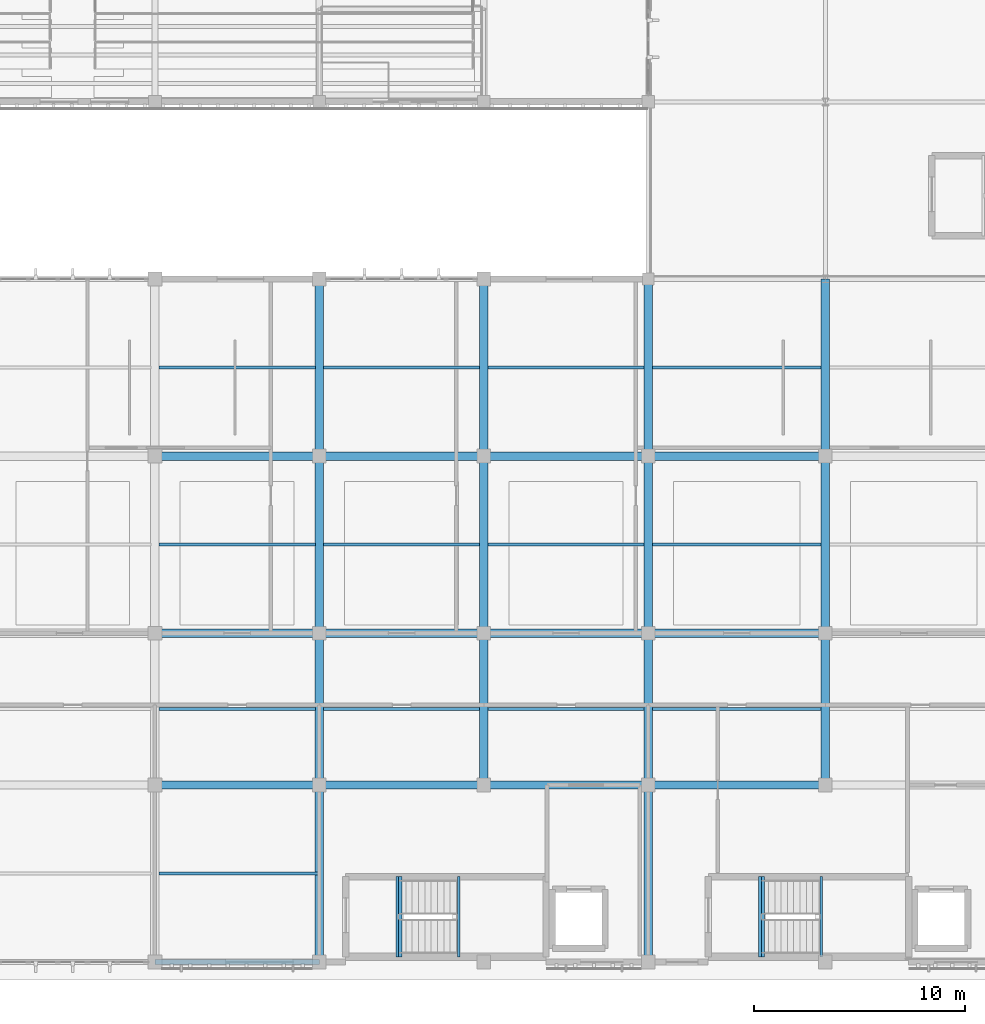
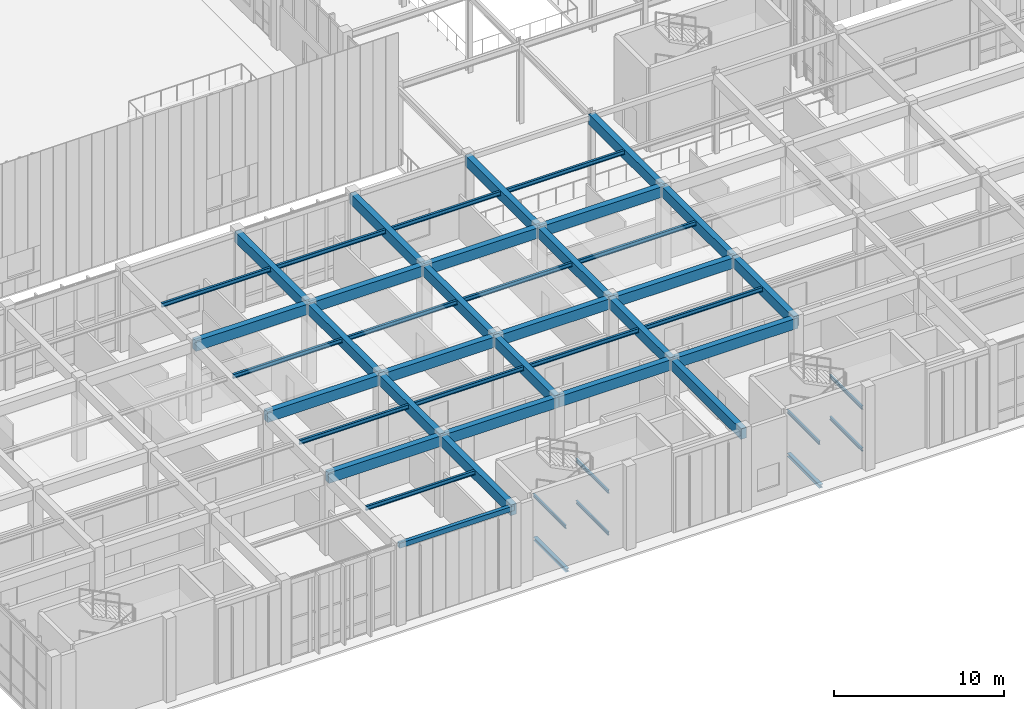
# One storey, part 13 of 105: 48 beams.
"""IFC4 building model written with IfcOpenShell, lengths in metres."""

import ifcopenshell
import ifcopenshell.guid

model = None  # the IFC model being written
_history = None  # IfcOwnerHistory: only IFC2X3 demands one
_inside = {}  # id of a spatial element -> (the spatial element, [elements in it])
_under = {}  # id of a project, library or spatial element -> (it, [spatial elements below it])
_declared = {}  # id of a project -> (the project, [libraries it declares])
_typed = {}  # id of a type object -> (the type object, [elements of that type])
_made_of = {}  # id of a material, layer set ... -> (it, [elements and type objects made of it])


def new_model(schema):
    """Start an empty IFC model of exactly this schema.

    Asked for "IFC4X3", IfcOpenShell would pick the latest addendum, in which some entities
    have other attributes; the version numbers below select the first issue.
    IFC2X3 requires an IfcOwnerHistory on every rooted entity: one is made here for all.
    """
    global model, _history
    if schema == "IFC4X3":
        model = ifcopenshell.file(schema_version=(4, 3, 0, 0))
    else:
        model = ifcopenshell.file(schema=schema)
    _inside.clear()
    _under.clear()
    _declared.clear()
    _typed.clear()
    _made_of.clear()
    _history = None
    if model.schema == "IFC2X3":
        org = make("IfcOrganization", Name="unknown")
        user = make(
            "IfcPersonAndOrganization",
            ThePerson=make("IfcPerson", FamilyName="unknown"),
            TheOrganization=org,
        )
        app = make(
            "IfcApplication",
            ApplicationDeveloper=org,
            Version="unknown",
            ApplicationFullName="unknown",
            ApplicationIdentifier="unknown",
        )
        _history = make(
            "IfcOwnerHistory",
            OwningUser=user,
            OwningApplication=app,
            ChangeAction="ADDED",
            CreationDate=0,
        )
    return model


def make(cls, **values):
    """One entity of the class cls with the attributes given. An attribute that is None is left unset."""
    return model.create_entity(
        cls, **{name: value for name, value in values.items() if value is not None}
    )


def rooted(cls, **values):
    """An entity with a GlobalId (a new one), such as an element, a storey or a relation."""
    return make(cls, GlobalId=ifcopenshell.guid.new(), OwnerHistory=_history, **values)


def si_unit(unit_type, name, prefix=None):
    """IfcSIUnit, for example si_unit("LENGTHUNIT", "METRE", prefix="MILLI")."""
    return make("IfcSIUnit", UnitType=unit_type, Prefix=prefix, Name=name)


def assignment(units):
    """IfcUnitAssignment: the units of a project."""
    return None if units is None else make("IfcUnitAssignment", Units=units)


def point(xyz):
    """IfcCartesianPoint."""
    return None if xyz is None else make("IfcCartesianPoint", Coordinates=xyz)


def direction(xyz):
    """IfcDirection."""
    return None if xyz is None else make("IfcDirection", DirectionRatios=xyz)


def frame(location, z_axis=None, x_axis=None):
    """IfcAxis2Placement3D, a coordinate frame: its origin and axes. An axis left out is left unset."""
    return make(
        "IfcAxis2Placement3D",
        Location=point(location),
        Axis=direction(z_axis),
        RefDirection=direction(x_axis),
    )


def frame_2d(location, x_axis=None):
    """IfcAxis2Placement2D, a coordinate frame in the plane: its origin and x axis."""
    return make(
        "IfcAxis2Placement2D", Location=point(location), RefDirection=direction(x_axis)
    )


def origin():
    """The frame at (0, 0, 0) with its axes left unset."""
    return frame((0.0, 0.0, 0.0))


def origin_2d():
    """The frame at (0, 0) in the plane with its x axis left unset."""
    return frame_2d((0.0, 0.0))


def place(relative_to, where):
    """IfcLocalPlacement: puts the frame where relative to a parent placement (None: the world)."""
    return make(
        "IfcLocalPlacement", PlacementRelTo=relative_to, RelativePlacement=where
    )


def context(
    kind, dimensions, precision=None, world=None, true_north=None, identifier=None
):
    """IfcGeometricRepresentationContext, for example the 3D "Model" context."""
    return make(
        "IfcGeometricRepresentationContext",
        ContextIdentifier=identifier,
        ContextType=kind,
        CoordinateSpaceDimension=dimensions,
        Precision=precision,
        WorldCoordinateSystem=world,
        TrueNorth=true_north,
    )


def subcontext(parent, identifier, kind, view, scale=None):
    """IfcGeometricRepresentationSubContext, for example "Body" below "Model"."""
    return make(
        "IfcGeometricRepresentationSubContext",
        ContextIdentifier=identifier,
        ContextType=kind,
        ParentContext=parent,
        TargetScale=scale,
        TargetView=view,
    )


def project(units=None, contexts=None):
    """IfcProject with its units and contexts."""
    return rooted(
        "IfcProject",
        Name="project",
        RepresentationContexts=contexts,
        UnitsInContext=assignment(units),
    )


def spatial(cls, under=None, at=None, **own):
    """A site, building, storey or space (cls), placed at a placement, below another one or the project."""
    s = rooted(cls, ObjectPlacement=at, **own)
    if under is not None:
        _under.setdefault(under.id(), (under, []))[1].append(s)
    return s


def profile(cls, at=None, kind="AREA", **sizes):
    """A parametric profile (cls). Its sizes go by their IFC names, for example OverallWidth=200.0."""
    return make(cls, ProfileType=kind, Position=at, **sizes)


def rectangle(**sizes):
    """IfcRectangleProfileDef."""
    return profile("IfcRectangleProfileDef", **sizes)


def hollow_rectangle(**sizes):
    """IfcRectangleHollowProfileDef."""
    return profile("IfcRectangleHollowProfileDef", **sizes)


def i_section(**sizes):
    """IfcIShapeProfileDef."""
    return profile("IfcIShapeProfileDef", **sizes)


def extrude(swept, where, along, depth):
    """IfcExtrudedAreaSolid: the profile swept, set in the frame where, extruded along a direction by depth."""
    return make(
        "IfcExtrudedAreaSolid",
        SweptArea=swept,
        Position=where,
        ExtrudedDirection=direction(along),
        Depth=depth,
    )


def shape(context_of_items, identifier, shape_type, items):
    """IfcShapeRepresentation: the items that make up one representation, for example the "Body"."""
    return make(
        "IfcShapeRepresentation",
        ContextOfItems=context_of_items,
        RepresentationIdentifier=identifier,
        RepresentationType=shape_type,
        Items=items,
    )


def material(Name=None, Category=None):
    """IfcMaterial."""
    return make("IfcMaterial", Name=Name, Category=Category)


def material_profile(
    of_material, cross_section, Name=None, Category=None, Priority=None
):
    """IfcMaterialProfile: a cross section and its material."""
    return make(
        "IfcMaterialProfile",
        Name=Name,
        Material=of_material,
        Profile=cross_section,
        Priority=Priority,
        Category=Category,
    )


def profile_set(profiles, Name=None, composite=None):
    """IfcMaterialProfileSet."""
    return make(
        "IfcMaterialProfileSet",
        Name=Name,
        MaterialProfiles=profiles,
        CompositeProfile=composite,
    )


def made_of(thing, what):
    """Note that an element or type object is made of a material, layer set ...; save() writes the relation."""
    if what is not None:
        _made_of.setdefault(what.id(), (what, []))[1].append(thing)
    return thing


def type_object(cls, material=None, **own):
    """A type object (cls), such as IfcWallType, which elements share."""
    return made_of(rooted(cls, **own), material)


def element(
    cls,
    number,
    at=None,
    inside=None,
    cuts=None,
    type_object=None,
    material=None,
    context=None,
    identifier="Body",
    shape_type=None,
    held_by="IfcProductDefinitionShape",
    body=None,
    shapes=None,
    **own,
):
    """One element of the class cls, such as IfcWall. Its Tag is "e" and its number.

    at: its placement. inside: the storey or other place that contains it. cuts: it is an
    opening in that element (IfcRelVoidsElement). A single representation is given by context,
    identifier, shape_type and body (its items); several are given by shapes. held_by: the class
    of the entity that holds the representations. save() writes the other relations.
    """
    e = rooted(cls, Tag="e%d" % number, ObjectPlacement=at, **own)
    if body is not None:
        shapes = [shape(context, identifier, shape_type, body)]
    if shapes is not None:
        e.Representation = make(held_by, Representations=shapes)
    if inside is not None:
        _inside.setdefault(inside.id(), (inside, []))[1].append(e)
    if cuts is not None:
        rooted(
            "IfcRelVoidsElement", RelatingBuildingElement=cuts, RelatedOpeningElement=e
        )
    if type_object is not None:
        _typed.setdefault(type_object.id(), (type_object, []))[1].append(e)
    return made_of(e, material)


def aggregate(whole, parts):
    """IfcRelAggregates: a whole, such as a stair, and the parts it consists of."""
    return rooted("IfcRelAggregates", RelatingObject=whole, RelatedObjects=parts)


def save(model, path):
    """Write the relations noted so far, then the file.

    IfcRelAggregates (storeys below a building ...), IfcRelContainedInSpatialStructure (elements
    in a storey), IfcRelDefinesByType, IfcRelAssociatesMaterial and IfcRelDeclares: one each for
    every whole, place, type object, material and project.
    """
    for whole, parts in _under.values():
        aggregate(whole, parts)
    for where, things in _inside.values():
        rooted(
            "IfcRelContainedInSpatialStructure",
            RelatedElements=things,
            RelatingStructure=where,
        )
    for kind, things in _typed.values():
        rooted("IfcRelDefinesByType", RelatedObjects=things, RelatingType=kind)
    for what, things in _made_of.values():
        rooted("IfcRelAssociatesMaterial", RelatedObjects=things, RelatingMaterial=what)
    for by, libraries in _declared.values():
        rooted("IfcRelDeclares", RelatingContext=by, RelatedDefinitions=libraries)
    model.write(path)


model = new_model("IFC4")

# Units and contexts
model_context = context("Model", 3, precision=1e-05, world=origin(), true_north=direction((0.0, 1.0)))
body_context = subcontext(model_context, "Body", "Model", "MODEL_VIEW")
ifc_project = project(units=[si_unit("LENGTHUNIT", "METRE"), si_unit("AREAUNIT", "SQUARE_METRE"), si_unit("VOLUMEUNIT", "CUBIC_METRE"), si_unit("PLANEANGLEUNIT", "RADIAN"), si_unit("MASSUNIT", "GRAM", prefix="KILO")], contexts=[model_context])

# Site, building, storey
site_placement = place(None, origin())
site = spatial("IfcSite", under=ifc_project, at=site_placement, CompositionType="ELEMENT")
building_placement = place(site_placement, origin())
building = spatial("IfcBuilding", under=site, at=building_placement, Name="Tizgana Railside Sports Hall", CompositionType="ELEMENT")
storey_placement = place(building_placement, frame((0.0, 0.0, 6.0)))
storey = spatial("IfcBuildingStorey", under=building, at=storey_placement, Name="L01", CompositionType="ELEMENT", Elevation=6.0)

# Beams
ifc_material_1 = material(Name="Concrete C35/45", Category="concrete")
ifc_material_profile_1 = material_profile(ifc_material_1, rectangle(XDim=0.39990234375, YDim=0.75, at=origin_2d()), Name="RCB 400x750")
ifc_profile_set_1 = profile_set([ifc_material_profile_1], Name="Concrete C35/45")
beam_type_1 = type_object("IfcBeamType", Name="Concrete Beam RCB 400x750", PredefinedType="BEAM", material=ifc_profile_set_1)
beam_1_placement = place(storey_placement, frame((39.0, 0.0, 5.361083984375), z_axis=(0.0, 1.0, 0.0), x_axis=(-1.0, 0.0, 0.0)))
element("IfcBeam", 1, at=beam_1_placement, inside=storey, type_object=beam_type_1, Name="L01 BEM-0480", PredefinedType="BEAM", context=body_context, shape_type="SweptSolid", body=[
    extrude(rectangle(XDim=0.39990234375, YDim=0.75, at=origin_2d()), origin(), (0.0, 0.0, 1.0), 8.39990234375),
])
beam_2_placement = place(storey_placement, frame((39.0, 8.39990234375, 5.361083984375), z_axis=(0.0, 1.0, 0.0), x_axis=(-1.0, 0.0, 0.0)))
element("IfcBeam", 2, at=beam_2_placement, inside=storey, type_object=beam_type_1, Name="L01 BEM-0481", PredefinedType="BEAM", context=body_context, shape_type="SweptSolid", body=[
    extrude(rectangle(XDim=0.39990234375, YDim=0.75, at=origin_2d()), origin(), (0.0, 0.0, 1.0), 7.2001953125),
])
for number, where, z_axis, x_axis, name in (
    (3, (39.0, 15.60009765625, 5.361083984375), (0.0, 1.0, 0.0), (-1.0, 0.0, 0.0), "L01 BEM-0482"),
    (4, (39.0, 24.0, 5.361083984375), (0.0, 1.0, 0.0), (-1.0, 0.0, 0.0), "L01 BEM-0483"),
):
    element("IfcBeam", number, at=place(storey_placement, frame(where, z_axis=z_axis, x_axis=x_axis)), inside=storey, type_object=beam_type_1, Name=name, PredefinedType="BEAM", context=body_context, shape_type="SweptSolid", body=[
        extrude(rectangle(XDim=0.39990234375, YDim=0.75, at=origin_2d()), origin(), (0.0, 0.0, 1.0), 8.39990234375),
    ])
beam_3_placement = place(storey_placement, frame((46.800048828125, 8.39990234375, 5.361083984375), z_axis=(0.0, 1.0, 0.0), x_axis=(-1.0, 0.0, 0.0)))
element("IfcBeam", 5, at=beam_3_placement, inside=storey, type_object=beam_type_1, Name="L01 BEM-0484", PredefinedType="BEAM", context=body_context, shape_type="SweptSolid", body=[
    extrude(rectangle(XDim=0.39990234375, YDim=0.75, at=origin_2d()), origin(), (0.0, 0.0, 1.0), 7.2001953125),
])
for number, where, z_axis, x_axis, name in (
    (6, (46.800048828125, 15.60009765625, 5.361083984375), (0.0, 1.0, 0.0), (-1.0, 0.0, 0.0), "L01 BEM-0485"),
    (7, (46.800048828125, 24.0, 5.361083984375), (0.0, 1.0, 0.0), (-1.0, 0.0, 0.0), "L01 BEM-0486"),
    (8, (54.60009765625, 0.0, 5.361083984375), (0.0, 1.0, 0.0), (-1.0, 0.0, 0.0), "L01 BEM-0487"),
):
    element("IfcBeam", number, at=place(storey_placement, frame(where, z_axis=z_axis, x_axis=x_axis)), inside=storey, type_object=beam_type_1, Name=name, PredefinedType="BEAM", context=body_context, shape_type="SweptSolid", body=[
        extrude(rectangle(XDim=0.39990234375, YDim=0.75, at=origin_2d()), origin(), (0.0, 0.0, 1.0), 8.39990234375),
    ])
beam_4_placement = place(storey_placement, frame((54.60009765625, 8.39990234375, 5.361083984375), z_axis=(0.0, 1.0, 0.0), x_axis=(-1.0, 0.0, 0.0)))
element("IfcBeam", 9, at=beam_4_placement, inside=storey, type_object=beam_type_1, Name="L01 BEM-0488", PredefinedType="BEAM", context=body_context, shape_type="SweptSolid", body=[
    extrude(rectangle(XDim=0.39990234375, YDim=0.75, at=origin_2d()), origin(), (0.0, 0.0, 1.0), 7.2001953125),
])
for number, where, z_axis, x_axis, name in (
    (10, (54.60009765625, 15.60009765625, 5.361083984375), (0.0, 1.0, 0.0), (-1.0, 0.0, 0.0), "L01 BEM-0489"),
    (11, (54.60009765625, 24.0, 5.361083984375), (0.0, 1.0, 0.0), (-1.0, 0.0, 0.0), "L01 BEM-0490"),
):
    element("IfcBeam", number, at=place(storey_placement, frame(where, z_axis=z_axis, x_axis=x_axis)), inside=storey, type_object=beam_type_1, Name=name, PredefinedType="BEAM", context=body_context, shape_type="SweptSolid", body=[
        extrude(rectangle(XDim=0.39990234375, YDim=0.75, at=origin_2d()), origin(), (0.0, 0.0, 1.0), 8.39990234375),
    ])
beam_5_placement = place(storey_placement, frame((63.0, 8.39990234375, 5.361083984375), z_axis=(0.0, 1.0, 0.0), x_axis=(-1.0, 0.0, 0.0)))
element("IfcBeam", 12, at=beam_5_placement, inside=storey, type_object=beam_type_1, Name="L01 BEM-0491", PredefinedType="BEAM", context=body_context, shape_type="SweptSolid", body=[
    extrude(rectangle(XDim=0.39990234375, YDim=0.75, at=origin_2d()), origin(), (0.0, 0.0, 1.0), 7.2001953125),
])
for number, where, z_axis, x_axis, name in (
    (13, (63.0, 15.60009765625, 5.361083984375), (0.0, 1.0, 0.0), (-1.0, 0.0, 0.0), "L01 BEM-0492"),
    (14, (63.0, 24.0, 5.361083984375), (0.0, 1.0, 0.0), (-1.0, 0.0, 0.0), "L01 BEM-0493"),
):
    element("IfcBeam", number, at=place(storey_placement, frame(where, z_axis=z_axis, x_axis=x_axis)), inside=storey, type_object=beam_type_1, Name=name, PredefinedType="BEAM", context=body_context, shape_type="SweptSolid", body=[
        extrude(rectangle(XDim=0.39990234375, YDim=0.75, at=origin_2d()), origin(), (0.0, 0.0, 1.0), 8.39990234375),
    ])
for number, where, z_axis, x_axis, name in (
    (15, (31.199951171875, 8.39990234375, 5.361083984375), (1.0, 0.0, 0.0), (0.0, 1.0, 0.0), "L01 BEM-0534"),
    (16, (31.199951171875, 15.60009765625, 5.361083984375), (1.0, 0.0, 0.0), (0.0, 1.0, 0.0), "L01 BEM-0535"),
    (17, (31.199951171875, 24.0, 5.361083984375), (1.0, 0.0, 0.0), (0.0, 1.0, 0.0), "L01 BEM-0536"),
    (18, (39.0, 8.39990234375, 5.361083984375), (1.0, 0.0, 0.0), (0.0, 1.0, 0.0), "L01 BEM-0542"),
    (19, (39.0, 15.60009765625, 5.361083984375), (1.0, 0.0, 0.0), (0.0, 1.0, 0.0), "L01 BEM-0543"),
    (20, (39.0, 24.0, 5.361083984375), (1.0, 0.0, 0.0), (0.0, 1.0, 0.0), "L01 BEM-0544"),
    (21, (46.800048828125, 8.39990234375, 5.361083984375), (1.0, 0.0, 0.0), (0.0, 1.0, 0.0), "L01 BEM-0549"),
    (22, (46.800048828125, 15.60009765625, 5.361083984375), (1.0, 0.0, 0.0), (0.0, 1.0, 0.0), "L01 BEM-0550"),
    (23, (46.800048828125, 24.0, 5.361083984375), (1.0, 0.0, 0.0), (0.0, 1.0, 0.0), "L01 BEM-0551"),
):
    element("IfcBeam", number, at=place(storey_placement, frame(where, z_axis=z_axis, x_axis=x_axis)), inside=storey, type_object=beam_type_1, Name=name, PredefinedType="BEAM", context=body_context, shape_type="SweptSolid", body=[
        extrude(rectangle(XDim=0.39990234375, YDim=0.75, at=origin_2d()), origin(), (0.0, 0.0, 1.0), 7.800048828125),
    ])
for number, where, z_axis, x_axis, name in (
    (24, (54.60009765625, 8.39990234375, 5.361083984375), (1.0, 0.0, 0.0), (0.0, 1.0, 0.0), "L01 BEM-0556"),
    (25, (54.60009765625, 15.60009765625, 5.361083984375), (1.0, 0.0, 0.0), (0.0, 1.0, 0.0), "L01 BEM-0557"),
    (26, (54.60009765625, 24.0, 5.361083984375), (1.0, 0.0, 0.0), (0.0, 1.0, 0.0), "L01 BEM-0558"),
):
    element("IfcBeam", number, at=place(storey_placement, frame(where, z_axis=z_axis, x_axis=x_axis)), inside=storey, type_object=beam_type_1, Name=name, PredefinedType="BEAM", context=body_context, shape_type="SweptSolid", body=[
        extrude(rectangle(XDim=0.39990234375, YDim=0.75, at=origin_2d()), origin(), (0.0, 0.0, 1.0), 8.39990234375),
    ])
ifc_material_2 = material(Name="Steel S355J2", Category="steel")
ifc_material_profile_2 = material_profile(ifc_material_2, i_section(OverallWidth=0.1201171875, OverallDepth=0.239990234375, WebThickness=0.006103515625, FlangeThickness=0.009765625, FilletRadius=0.014892578125, at=origin_2d()), Name="IPE 240")
ifc_profile_set_2 = profile_set([ifc_material_profile_2], Name="Steel S355J2")
beam_type_2 = type_object("IfcBeamType", Name="Stair Mid-Landing Header IPE 240", PredefinedType="JOIST", material=ifc_profile_set_2)
for number, where, z_axis, x_axis, name in (
    (27, (45.60009765625, 0.25, 1.177978515625), (0.0, 1.0, 0.0), (-1.0, 0.0, 0.0), "L01 C2 Mid Header 1"),
    (28, (42.699951171875, 0.25, 2.677978515625), (0.0, 1.0, 0.0), (-1.0, 0.0, 0.0), "L01 C2 Mid Header 2"),
    (29, (45.60009765625, 0.25, 4.177978515625), (0.0, 1.0, 0.0), (-1.0, 0.0, 0.0), "L01 C2 Mid Header 3"),
    (30, (62.800048828125, 0.25, 1.177978515625), (0.0, 1.0, 0.0), (-1.0, 0.0, 0.0), "L01 C3 Mid Header 1"),
    (31, (59.89990234375, 0.25, 2.677978515625), (0.0, 1.0, 0.0), (-1.0, 0.0, 0.0), "L01 C3 Mid Header 2"),
    (32, (62.800048828125, 0.25, 4.177978515625), (0.0, 1.0, 0.0), (-1.0, 0.0, 0.0), "L01 C3 Mid Header 3"),
):
    element("IfcBeam", number, at=place(storey_placement, frame(where, z_axis=z_axis, x_axis=x_axis)), inside=storey, type_object=beam_type_2, Name=name, PredefinedType="JOIST", context=body_context, shape_type="SweptSolid", body=[
        extrude(i_section(OverallWidth=0.1201171875, OverallDepth=0.239990234375, WebThickness=0.006103515625, FlangeThickness=0.009765625, FilletRadius=0.014892578125, at=origin_2d()), origin(), (0.0, 0.0, 1.0), 3.800048828125),
    ])
ifc_material_profile_3 = material_profile(ifc_material_2, i_section(OverallWidth=0.239990234375, OverallDepth=0.239990234375, WebThickness=0.010009765625, FlangeThickness=0.01708984375, FilletRadius=0.02099609375, at=origin_2d()), Name="HEB 240")
ifc_profile_set_3 = profile_set([ifc_material_profile_3], Name="Steel S355J2")
beam_type_3 = type_object("IfcBeamType", Name="Steel Beam HEB 240", PredefinedType="BEAM", material=ifc_profile_set_3)
for number, where, z_axis, x_axis, name in (
    (33, (42.800048828125, 0.25, -0.4619140625), (0.0, 1.0, 0.0), (-1.0, 0.0, 0.0), "L01 C2 Landing Header"),
    (34, (60.0, 0.25, -0.4619140625), (0.0, 1.0, 0.0), (-1.0, 0.0, 0.0), "L01 C3 Landing Header"),
):
    element("IfcBeam", number, at=place(storey_placement, frame(where, z_axis=z_axis, x_axis=x_axis)), inside=storey, type_object=beam_type_3, Name=name, PredefinedType="BEAM", context=body_context, shape_type="SweptSolid", body=[
        extrude(i_section(OverallWidth=0.239990234375, OverallDepth=0.239990234375, WebThickness=0.010009765625, FlangeThickness=0.01708984375, FilletRadius=0.02099609375, at=origin_2d()), origin(), (0.0, 0.0, 1.0), 3.800048828125),
    ])
ifc_material_profile_4 = material_profile(ifc_material_2, i_section(OverallWidth=0.14990234375, OverallDepth=0.300048828125, WebThickness=0.007080078125, FlangeThickness=0.0107421875, FilletRadius=0.014892578125, at=origin_2d()), Name="IPE 300")
ifc_profile_set_4 = profile_set([ifc_material_profile_4], Name="Steel S355J2")
beam_type_4 = type_object("IfcBeamType", Name="Steel Joist IPE 300", PredefinedType="JOIST", material=ifc_profile_set_4)
beam_6_placement = place(storey_placement, frame((31.39501953125, 4.199951171875, 5.5859375), z_axis=(1.0, 0.0, 0.0), x_axis=(0.0, 1.0, 0.0)))
element("IfcBeam", 35, at=beam_6_placement, inside=storey, type_object=beam_type_4, Name="L01 BEM-0538", PredefinedType="JOIST", context=body_context, shape_type="SweptSolid", body=[
    extrude(i_section(OverallWidth=0.14990234375, OverallDepth=0.300048828125, WebThickness=0.007080078125, FlangeThickness=0.0107421875, FilletRadius=0.014892578125, at=origin_2d()), origin(), (0.0, 0.0, 1.0), 7.60498046875),
])
for number, where, z_axis, x_axis, name in (
    (36, (31.39501953125, 12.0, 5.5859375), (1.0, 0.0, 0.0), (0.0, 1.0, 0.0), "L01 BEM-0539"),
    (37, (31.39501953125, 19.800048828125, 5.5859375), (1.0, 0.0, 0.0), (0.0, 1.0, 0.0), "L01 BEM-0540"),
    (38, (31.39501953125, 28.199951171875, 5.5859375), (1.0, 0.0, 0.0), (0.0, 1.0, 0.0), "L01 BEM-0541"),
    (39, (39.195068359375, 12.0, 5.5859375), (1.0, 0.0, 0.0), (0.0, 1.0, 0.0), "L01 BEM-0546"),
    (40, (39.195068359375, 19.800048828125, 5.5859375), (1.0, 0.0, 0.0), (0.0, 1.0, 0.0), "L01 BEM-0547"),
    (41, (39.195068359375, 28.199951171875, 5.5859375), (1.0, 0.0, 0.0), (0.0, 1.0, 0.0), "L01 BEM-0548"),
    (42, (46.9951171875, 12.0, 5.5859375), (1.0, 0.0, 0.0), (0.0, 1.0, 0.0), "L01 BEM-0553"),
    (43, (46.9951171875, 19.800048828125, 5.5859375), (1.0, 0.0, 0.0), (0.0, 1.0, 0.0), "L01 BEM-0554"),
    (44, (46.9951171875, 28.199951171875, 5.5859375), (1.0, 0.0, 0.0), (0.0, 1.0, 0.0), "L01 BEM-0555"),
):
    element("IfcBeam", number, at=place(storey_placement, frame(where, z_axis=z_axis, x_axis=x_axis)), inside=storey, type_object=beam_type_4, Name=name, PredefinedType="JOIST", context=body_context, shape_type="SweptSolid", body=[
        extrude(i_section(OverallWidth=0.14990234375, OverallDepth=0.300048828125, WebThickness=0.007080078125, FlangeThickness=0.0107421875, FilletRadius=0.014892578125, at=origin_2d()), origin(), (0.0, 0.0, 1.0), 7.409912109375),
    ])
for number, where, z_axis, x_axis, name in (
    (45, (54.794921875, 12.0, 5.5859375), (1.0, 0.0, 0.0), (0.0, 1.0, 0.0), "L01 BEM-0560"),
    (46, (54.794921875, 19.800048828125, 5.5859375), (1.0, 0.0, 0.0), (0.0, 1.0, 0.0), "L01 BEM-0561"),
    (47, (54.794921875, 28.199951171875, 5.5859375), (1.0, 0.0, 0.0), (0.0, 1.0, 0.0), "L01 BEM-0562"),
):
    element("IfcBeam", number, at=place(storey_placement, frame(where, z_axis=z_axis, x_axis=x_axis)), inside=storey, type_object=beam_type_4, Name=name, PredefinedType="JOIST", context=body_context, shape_type="SweptSolid", body=[
        extrude(i_section(OverallWidth=0.14990234375, OverallDepth=0.300048828125, WebThickness=0.007080078125, FlangeThickness=0.0107421875, FilletRadius=0.014892578125, at=origin_2d()), origin(), (0.0, 0.0, 1.0), 8.010009765625),
    ])
ifc_material_profile_5 = material_profile(ifc_material_2, hollow_rectangle(XDim=0.25, YDim=0.35009765625, WallThickness=0.011962890625, at=origin_2d()), Name="RHS 350x250x12")
ifc_profile_set_5 = profile_set([ifc_material_profile_5], Name="Steel S355J2")
beam_type_5 = type_object("IfcBeamType", Name="Steel Spandrel RHS 350x250x12", PredefinedType="SPANDREL", material=ifc_profile_set_5)
beam_7_placement = place(storey_placement, frame((31.199951171875, 0.0, 5.56103515625), z_axis=(1.0, 0.0, 0.0), x_axis=(0.0, 1.0, 0.0)))
element("IfcBeam", 48, at=beam_7_placement, inside=storey, type_object=beam_type_5, Name="L01 BEM-0533", PredefinedType="SPANDREL", context=body_context, shape_type="SweptSolid", body=[
    extrude(hollow_rectangle(XDim=0.25, YDim=0.35009765625, WallThickness=0.011962890625, at=origin_2d()), origin(), (0.0, 0.0, 1.0), 7.800048828125),
])

save(model, "model.ifc")
